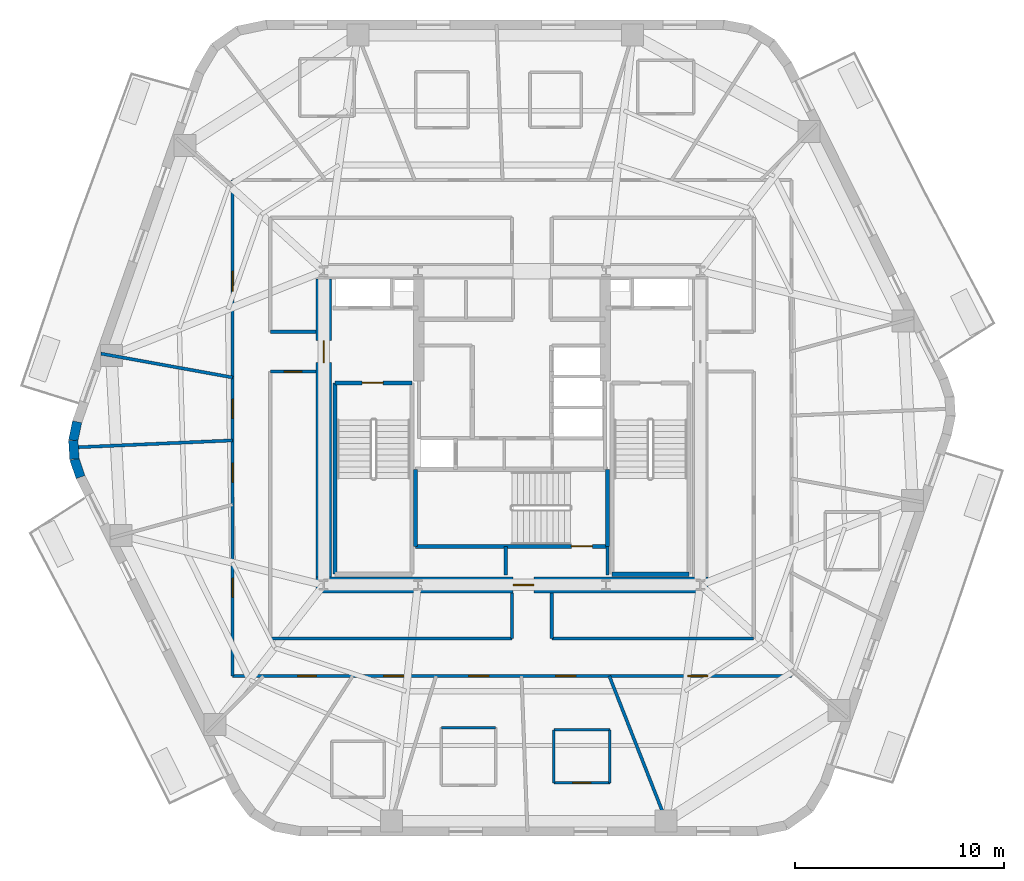
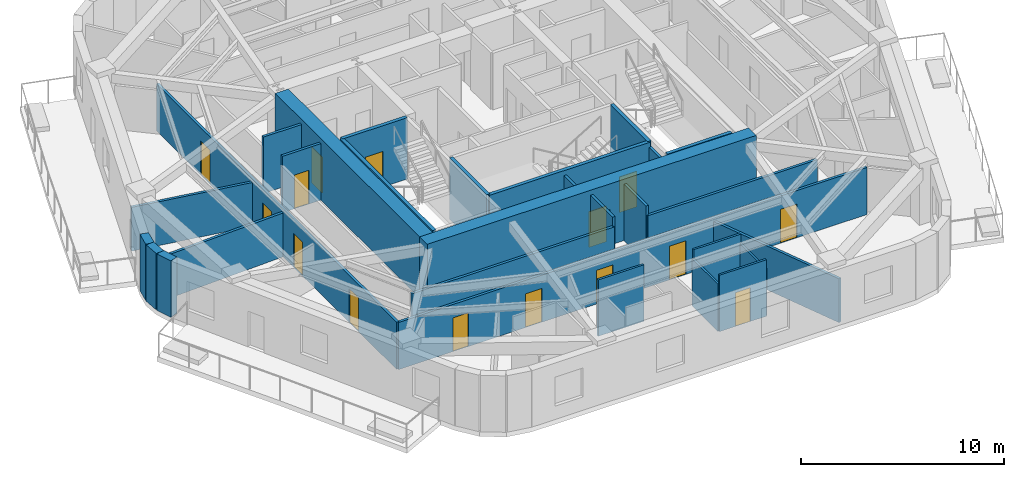
# One storey, part 3 of 10: 29 walls, 15 doors, 15 openings.
"""IFC4 building model written with IfcOpenShell, lengths in metres."""

from ifc_helpers import new_model, si_unit, direction, frame, frame_2d, origin, place, context, subcontext, project, spatial, rectangle, extrude, material, layer, layer_set, type_object, element, fill, save


model = new_model("IFC4")

# Units and contexts
model_context = context("Model", 3, precision=1e-05, world=origin(), true_north=direction((0.0, 1.0)))
body_context = subcontext(model_context, "Body", "Model", "MODEL_VIEW")
ifc_project = project(units=[si_unit("LENGTHUNIT", "METRE"), si_unit("AREAUNIT", "SQUARE_METRE"), si_unit("VOLUMEUNIT", "CUBIC_METRE"), si_unit("PLANEANGLEUNIT", "RADIAN"), si_unit("MASSUNIT", "GRAM", prefix="KILO")], contexts=[model_context])

# Site, building, storey
site_placement = place(None, origin())
site = spatial("IfcSite", under=ifc_project, at=site_placement, CompositionType="ELEMENT")
building_placement = place(site_placement, origin())
building = spatial("IfcBuilding", under=site, at=building_placement, Name="Kilnhurst Terrace Hotel", CompositionType="ELEMENT")
storey_placement = place(building_placement, frame((0.0, 0.0, 179.300048828125)))
storey = spatial("IfcBuildingStorey", under=building, at=storey_placement, Name="L44", CompositionType="ELEMENT", Elevation=179.300048828125)

# Walls
ifc_material_1 = material(Name="Precast concrete C40/50", Category="concrete")
ifc_layer_1 = layer(ifc_material_1, 0.449951171875, Name="Precast concrete C40/50")
ifc_layer_set_1 = layer_set([ifc_layer_1], Name="Precast concrete C40/50")
wall_type_1 = type_object("IfcWallType", Name="WL-BRK-450", PredefinedType="SOLIDWALL", material=ifc_layer_set_1)
wall_1_placement = place(storey_placement, frame((-20.78173828125, 0.298095703125, 0.0), z_axis=(0.0, 0.0, 1.0), x_axis=(-0.202570068411, -0.979267771033, 0.0)))
element("IfcWall", 1, at=wall_1_placement, inside=storey, type_object=wall_type_1, Name="L44 Rounded Corner Brick Wall C6.1", PredefinedType="SOLIDWALL", context=body_context, shape_type="SweptSolid", body=[
    extrude(rectangle(XDim=0.90869140625, YDim=0.449951171875, at=frame_2d((0.454345703125, 0.0))), origin(), (0.0, 0.0, 1.0), 3.39990234375),
])
wall_2_placement = place(storey_placement, frame((-20.9658203125, -0.591796875, 0.0), z_axis=(0.0, 0.0, 1.0), x_axis=(0.061748898935, -0.998091715966, 0.0)))
element("IfcWall", 2, at=wall_2_placement, inside=storey, type_object=wall_type_1, Name="L44 Rounded Corner Brick Wall C6.2", PredefinedType="SOLIDWALL", context=body_context, shape_type="SweptSolid", body=[
    extrude(rectangle(XDim=0.8935546875, YDim=0.449951171875, at=frame_2d((0.44677734375, 0.0))), origin(), (0.0, 0.0, 1.0), 3.39990234375),
])
wall_3_placement = place(storey_placement, frame((-20.91064453125, -1.483642578125, 0.0), z_axis=(0.0, 0.0, 1.0), x_axis=(0.321623334353, -0.946867694453, 0.0)))
element("IfcWall", 3, at=wall_3_placement, inside=storey, type_object=wall_type_1, Name="L44 Rounded Corner Brick Wall C6.3", PredefinedType="SOLIDWALL", context=body_context, shape_type="SweptSolid", body=[
    extrude(rectangle(XDim=0.90869140625, YDim=0.449951171875, at=frame_2d((0.454345703125, 0.0))), origin(), (0.0, 0.0, 1.0), 3.39990234375),
])

# Wall, openings, doors
ifc_material_2 = material(Name="Acoustic Double-Gypsum Corridor Partition Assembly")
ifc_layer_2 = layer(ifc_material_2, 0.14990234375, Name="Acoustic Double-Gypsum Corridor Partition Assembly")
ifc_layer_set_2 = layer_set([ifc_layer_2], Name="Acoustic Double-Gypsum Corridor Partition Assembly")
wall_type_2 = type_object("IfcWallType", Name="WL-COR-150", PredefinedType="PARTITIONING", material=ifc_layer_set_2)
wall_4_placement = place(storey_placement, frame((13.35009765625, -11.85009765625, 0.0), z_axis=(0.0, 0.0, 1.0), x_axis=(-1.0, 0.0, 0.0)))
wall_4 = element("IfcWall", 4, at=wall_4_placement, inside=storey, type_object=wall_type_2, Name="L44 Interior Wall WL-L44-COR-01", PredefinedType="PARTITIONING", context=body_context, shape_type="SweptSolid", body=[
    extrude(rectangle(XDim=26.7001953125, YDim=0.14990234375, at=frame_2d((13.35009765625, 0.0))), origin(), (0.0, 0.0, 1.0), 2.83984375),
])
opening_1_placement = place(wall_4_placement, frame((22.699951171875, 0.0, 0.0)))
opening_1 = element("IfcOpeningElement", 5, at=opening_1_placement, cuts=wall_4, Name="Opening D-60C", PredefinedType="OPENING", context=body_context, shape_type="SweptSolid", body=[
    extrude(rectangle(XDim=0.89990234375, YDim=2.030029296875, at=frame_2d((0.449951171875, 1.01513671875))), frame((0.0, 0.0849609375, 0.0), z_axis=(0.0, -1.0, 0.0), x_axis=(1.0, 0.0, 0.0)), (0.0, 0.0, 1.0), 0.169921875),
])
opening_2_placement = place(wall_4_placement, frame((18.52294921875, 0.0, 0.0)))
opening_2 = element("IfcOpeningElement", 6, at=opening_2_placement, cuts=wall_4, Name="Opening D-60B", PredefinedType="OPENING", context=body_context, shape_type="SweptSolid", body=[
    extrude(rectangle(XDim=0.949951171875, YDim=2.030029296875, at=frame_2d((0.47509765625, 1.01513671875))), frame((0.0, 0.0849609375, 0.0), z_axis=(0.0, -1.0, 0.0), x_axis=(1.0, 0.0, 0.0)), (0.0, 0.0, 1.0), 0.169921875),
])
opening_3_placement = place(wall_4_placement, frame((14.468994140625, 0.0, 0.0)))
opening_3 = element("IfcOpeningElement", 7, at=opening_3_placement, cuts=wall_4, Name="Opening D-60B", PredefinedType="OPENING", context=body_context, shape_type="SweptSolid", body=[
    extrude(rectangle(XDim=0.949951171875, YDim=2.030029296875, at=frame_2d((0.47509765625, 1.01513671875))), frame((0.0, 0.0849609375, 0.0), z_axis=(0.0, -1.0, 0.0), x_axis=(1.0, 0.0, 0.0)), (0.0, 0.0, 1.0), 0.169921875),
])
opening_4_placement = place(wall_4_placement, frame((10.31396484375, 0.0, 0.0)))
opening_4 = element("IfcOpeningElement", 8, at=opening_4_placement, cuts=wall_4, Name="Opening D-60B", PredefinedType="OPENING", context=body_context, shape_type="SweptSolid", body=[
    extrude(rectangle(XDim=0.949951171875, YDim=2.030029296875, at=frame_2d((0.47509765625, 1.01513671875))), frame((0.0, 0.0849609375, 0.0), z_axis=(0.0, -1.0, 0.0), x_axis=(1.0, 0.0, 0.0)), (0.0, 0.0, 1.0), 0.169921875),
])
opening_5_placement = place(wall_4_placement, frame((3.9951171875, 0.0, 0.0)))
opening_5 = element("IfcOpeningElement", 9, at=opening_5_placement, cuts=wall_4, Name="Opening D-60B", PredefinedType="OPENING", context=body_context, shape_type="SweptSolid", body=[
    extrude(rectangle(XDim=0.949951171875, YDim=2.030029296875, at=frame_2d((0.47509765625, 1.01513671875))), frame((0.0, 0.0849609375, 0.0), z_axis=(0.0, -1.0, 0.0), x_axis=(1.0, 0.0, 0.0)), (0.0, 0.0, 1.0), 0.169921875),
])
ifc_material_3 = material(Name="Painted Solid-Core Service Fire Door")
door_type_1 = type_object("IfcDoorType", Name="DR-FD60-900", OperationType="NOTDEFINED", PredefinedType="DOOR", material=ifc_material_3)
door_1_placement = place(opening_1_placement, origin())
door_1 = element("IfcDoor", 10, at=door_1_placement, inside=storey, type_object=door_type_1, Name="L44 Executive Work Office Door 13", OperationType="SINGLE_SWING_LEFT", OverallHeight=2.030029296875, OverallWidth=0.89990234375, PredefinedType="DOOR", context=body_context, shape_type="SweptSolid", body=[
    extrude(rectangle(XDim=0.89990234375, YDim=2.030029296875, at=frame_2d((0.449951171875, 1.01513671875))), frame((0.0, 0.02490234375, 0.0), z_axis=(0.0, -1.0, 0.0), x_axis=(1.0, 0.0, 0.0)), (0.0, 0.0, 1.0), 0.050048828125),
])
fill(opening_1, door_1)
ifc_material_4 = material(Name="Acoustic Walnut Veneer Solid-Core Fire Door")
door_type_2 = type_object("IfcDoorType", Name="DR-FD60-950", OperationType="NOTDEFINED", PredefinedType="DOOR", material=ifc_material_4)
door_2_placement = place(opening_2_placement, origin())
door_2 = element("IfcDoor", 11, at=door_2_placement, inside=storey, type_object=door_type_2, Name="L44 Guest Room Entry Door 14", OperationType="SINGLE_SWING_RIGHT", OverallHeight=2.030029296875, OverallWidth=0.949951171875, PredefinedType="DOOR", context=body_context, shape_type="SweptSolid", body=[
    extrude(rectangle(XDim=0.949951171875, YDim=2.030029296875, at=frame_2d((0.47509765625, 1.01513671875))), frame((0.0, 0.02490234375, 0.0), z_axis=(0.0, -1.0, 0.0), x_axis=(1.0, 0.0, 0.0)), (0.0, 0.0, 1.0), 0.050048828125),
])
fill(opening_2, door_2)
door_3_placement = place(opening_3_placement, origin())
door_3 = element("IfcDoor", 12, at=door_3_placement, inside=storey, type_object=door_type_2, Name="L44 Guest Room Entry Door 15", OperationType="SINGLE_SWING_LEFT", OverallHeight=2.030029296875, OverallWidth=0.949951171875, PredefinedType="DOOR", context=body_context, shape_type="SweptSolid", body=[
    extrude(rectangle(XDim=0.949951171875, YDim=2.030029296875, at=frame_2d((0.47509765625, 1.01513671875))), frame((0.0, 0.02490234375, 0.0), z_axis=(0.0, -1.0, 0.0), x_axis=(1.0, 0.0, 0.0)), (0.0, 0.0, 1.0), 0.050048828125),
])
fill(opening_3, door_3)
door_4_placement = place(opening_4_placement, origin())
door_4 = element("IfcDoor", 13, at=door_4_placement, inside=storey, type_object=door_type_2, Name="L44 Guest Room Entry Door 16", OperationType="SINGLE_SWING_RIGHT", OverallHeight=2.030029296875, OverallWidth=0.949951171875, PredefinedType="DOOR", context=body_context, shape_type="SweptSolid", body=[
    extrude(rectangle(XDim=0.949951171875, YDim=2.030029296875, at=frame_2d((0.47509765625, 1.01513671875))), frame((0.0, 0.02490234375, 0.0), z_axis=(0.0, -1.0, 0.0), x_axis=(1.0, 0.0, 0.0)), (0.0, 0.0, 1.0), 0.050048828125),
])
fill(opening_4, door_4)
door_5_placement = place(opening_5_placement, origin())
door_5 = element("IfcDoor", 14, at=door_5_placement, inside=storey, type_object=door_type_2, Name="L44 Wellness Spa Room Door", OperationType="SINGLE_SWING_LEFT", OverallHeight=2.030029296875, OverallWidth=0.949951171875, PredefinedType="DOOR", context=body_context, shape_type="SweptSolid", body=[
    extrude(rectangle(XDim=0.949951171875, YDim=2.030029296875, at=frame_2d((0.47509765625, 1.01513671875))), frame((0.0, 0.02490234375, 0.0), z_axis=(0.0, -1.0, 0.0), x_axis=(1.0, 0.0, 0.0)), (0.0, 0.0, 1.0), 0.050048828125),
])
fill(opening_5, door_5)

wall_5_placement = place(storey_placement, frame((-13.35009765625, -11.85009765625, 0.0), z_axis=(0.0, 0.0, 1.0), x_axis=(0.0, 1.0, 0.0)))
wall_5 = element("IfcWall", 15, at=wall_5_placement, inside=storey, type_object=wall_type_2, Name="L44 Interior Wall WL-L44-COR-02", PredefinedType="PARTITIONING", context=body_context, shape_type="SweptSolid", body=[
    extrude(rectangle(XDim=23.7001953125, YDim=0.14990234375, at=frame_2d((11.85009765625, 0.0))), origin(), (0.0, 0.0, 1.0), 2.83984375),
])
opening_6_placement = place(wall_5_placement, frame((18.388916015625, 0.0, 0.0)))
opening_6 = element("IfcOpeningElement", 16, at=opening_6_placement, cuts=wall_5, Name="Opening D-60B", PredefinedType="OPENING", context=body_context, shape_type="SweptSolid", body=[
    extrude(rectangle(XDim=0.949951171875, YDim=2.030029296875, at=frame_2d((0.47509765625, 1.01513671875))), frame((0.0, 0.0849609375, 0.0), z_axis=(0.0, -1.0, 0.0), x_axis=(1.0, 0.0, 0.0)), (0.0, 0.0, 1.0), 0.169921875),
])
opening_7_placement = place(wall_5_placement, frame((12.31494140625, 0.0, 0.0)))
opening_7 = element("IfcOpeningElement", 17, at=opening_7_placement, cuts=wall_5, Name="Opening D-60C", PredefinedType="OPENING", context=body_context, shape_type="SweptSolid", body=[
    extrude(rectangle(XDim=0.89990234375, YDim=2.030029296875, at=frame_2d((0.449951171875, 1.01513671875))), frame((0.0, 0.0849609375, 0.0), z_axis=(0.0, -1.0, 0.0), x_axis=(1.0, 0.0, 0.0)), (0.0, 0.0, 1.0), 0.169921875),
])
opening_8_placement = place(wall_5_placement, frame((9.27001953125, 0.0, 0.0)))
opening_8 = element("IfcOpeningElement", 18, at=opening_8_placement, cuts=wall_5, Name="Opening D-60C", PredefinedType="OPENING", context=body_context, shape_type="SweptSolid", body=[
    extrude(rectangle(XDim=0.89990234375, YDim=2.030029296875, at=frame_2d((0.449951171875, 1.01513671875))), frame((0.0, 0.0849609375, 0.0), z_axis=(0.0, -1.0, 0.0), x_axis=(1.0, 0.0, 0.0)), (0.0, 0.0, 1.0), 0.169921875),
])
opening_9_placement = place(wall_5_placement, frame((3.764892578125, 0.0, 0.0)))
opening_9 = element("IfcOpeningElement", 19, at=opening_9_placement, cuts=wall_5, Name="Opening D-60C", PredefinedType="OPENING", context=body_context, shape_type="SweptSolid", body=[
    extrude(rectangle(XDim=0.89990234375, YDim=2.030029296875, at=frame_2d((0.449951171875, 1.01513671875))), frame((0.0, 0.0849609375, 0.0), z_axis=(0.0, -1.0, 0.0), x_axis=(1.0, 0.0, 0.0)), (0.0, 0.0, 1.0), 0.169921875),
])
door_6_placement = place(opening_7_placement, origin())
door_6 = element("IfcDoor", 20, at=door_6_placement, inside=storey, type_object=door_type_1, Name="L44 Wellness Consultation Room Door 10", OperationType="SINGLE_SWING_RIGHT", OverallHeight=2.030029296875, OverallWidth=0.89990234375, PredefinedType="DOOR", context=body_context, shape_type="SweptSolid", body=[
    extrude(rectangle(XDim=0.89990234375, YDim=2.030029296875, at=frame_2d((0.449951171875, 1.01513671875))), frame((0.0, 0.02490234375, 0.0), z_axis=(0.0, -1.0, 0.0), x_axis=(1.0, 0.0, 0.0)), (0.0, 0.0, 1.0), 0.050048828125),
])
fill(opening_7, door_6)
door_7_placement = place(opening_8_placement, origin())
door_7 = element("IfcDoor", 21, at=door_7_placement, inside=storey, type_object=door_type_1, Name="L44 Private Tasting Dining Room Door 11", OperationType="SINGLE_SWING_LEFT", OverallHeight=2.030029296875, OverallWidth=0.89990234375, PredefinedType="DOOR", context=body_context, shape_type="SweptSolid", body=[
    extrude(rectangle(XDim=0.89990234375, YDim=2.030029296875, at=frame_2d((0.449951171875, 1.01513671875))), frame((0.0, 0.02490234375, 0.0), z_axis=(0.0, -1.0, 0.0), x_axis=(1.0, 0.0, 0.0)), (0.0, 0.0, 1.0), 0.050048828125),
])
fill(opening_8, door_7)
door_8_placement = place(opening_9_placement, origin())
door_8 = element("IfcDoor", 22, at=door_8_placement, inside=storey, type_object=door_type_1, Name="L44 Private Study Salon Door 12", OperationType="SINGLE_SWING_RIGHT", OverallHeight=2.030029296875, OverallWidth=0.89990234375, PredefinedType="DOOR", context=body_context, shape_type="SweptSolid", body=[
    extrude(rectangle(XDim=0.89990234375, YDim=2.030029296875, at=frame_2d((0.449951171875, 1.01513671875))), frame((0.0, 0.02490234375, 0.0), z_axis=(0.0, -1.0, 0.0), x_axis=(1.0, 0.0, 0.0)), (0.0, 0.0, 1.0), 0.050048828125),
])
fill(opening_9, door_8)
door_9_placement = place(opening_6_placement, origin())
door_9 = element("IfcDoor", 23, at=door_9_placement, inside=storey, type_object=door_type_2, Name="L44 Club Reading Lounge Door", OperationType="SINGLE_SWING_LEFT", OverallHeight=2.030029296875, OverallWidth=0.949951171875, PredefinedType="DOOR", context=body_context, shape_type="SweptSolid", body=[
    extrude(rectangle(XDim=0.949951171875, YDim=2.030029296875, at=frame_2d((0.47509765625, 1.01513671875))), frame((0.0, 0.02490234375, 0.0), z_axis=(0.0, -1.0, 0.0), x_axis=(1.0, 0.0, 0.0)), (0.0, 0.0, 1.0), 0.050048828125),
])
fill(opening_6, door_9)

# Wall
wall_6_placement = place(storey_placement, frame((-11.550048828125, 4.60009765625, 0.0), z_axis=(0.0, 0.0, 1.0), x_axis=(1.0, 0.0, 0.0)))
element("IfcWall", 24, at=wall_6_placement, inside=storey, type_object=wall_type_2, Name="L44 Interior Wall WL-L44-COR-14", PredefinedType="PARTITIONING", context=body_context, shape_type="SweptSolid", body=[
    extrude(rectangle(XDim=2.175048828125, YDim=0.14990234375, at=frame_2d((1.08740234375, 0.0))), origin(), (0.0, 0.0, 1.0), 3.39990234375),
])

# Wall, opening, door
wall_7_placement = place(storey_placement, frame((-9.375, 2.699951171875, 0.0), z_axis=(0.0, 0.0, 1.0), x_axis=(-1.0, 0.0, 0.0)))
wall_7 = element("IfcWall", 25, at=wall_7_placement, inside=storey, type_object=wall_type_2, Name="L44 Interior Wall WL-L44-COR-15", PredefinedType="PARTITIONING", context=body_context, shape_type="SweptSolid", body=[
    extrude(rectangle(XDim=2.175048828125, YDim=0.14990234375, at=frame_2d((1.08740234375, 0.0))), origin(), (0.0, 0.0, 1.0), 3.39990234375),
])
opening_10_placement = place(wall_7_placement, frame((0.6630859375, 0.0, 0.0)))
opening_10 = element("IfcOpeningElement", 26, at=opening_10_placement, cuts=wall_7, Name="Opening D-60D", PredefinedType="OPENING", context=body_context, shape_type="SweptSolid", body=[
    extrude(rectangle(XDim=0.85009765625, YDim=2.030029296875, at=frame_2d((0.425048828125, 1.01513671875))), frame((0.0, 0.0849609375, 0.0), z_axis=(0.0, -1.0, 0.0), x_axis=(1.0, 0.0, 0.0)), (0.0, 0.0, 1.0), 0.169921875),
])
ifc_material_5 = material(Name="Painted Hollow Metal Steel ASTM A36 Riser Door", Category="steel")
door_type_3 = type_object("IfcDoorType", Name="DR-FD60-850", OperationType="NOTDEFINED", PredefinedType="DOOR", material=ifc_material_5)
door_10_placement = place(opening_10_placement, origin())
door_10 = element("IfcDoor", 27, at=door_10_placement, inside=storey, type_object=door_type_3, Name="L44 Floor Linen Storage Room Door", OperationType="SINGLE_SWING_LEFT", OverallHeight=2.030029296875, OverallWidth=0.85009765625, PredefinedType="DOOR", context=body_context, shape_type="SweptSolid", body=[
    extrude(rectangle(XDim=0.85009765625, YDim=2.030029296875, at=frame_2d((0.425048828125, 1.01513671875))), frame((0.0, 0.02490234375, 0.0), z_axis=(0.0, -1.0, 0.0), x_axis=(1.0, 0.0, 0.0)), (0.0, 0.0, 1.0), 0.050048828125),
])
fill(opening_10, door_10)

# Walls
wall_8_placement = place(storey_placement, frame((-11.550048828125, -10.050048828125, 0.0), z_axis=(0.0, 0.0, 1.0), x_axis=(1.0, 0.0, 0.0)))
element("IfcWall", 28, at=wall_8_placement, inside=storey, type_object=wall_type_2, Name="L44 Interior Wall WL-L44-COR-17", PredefinedType="PARTITIONING", context=body_context, shape_type="SweptSolid", body=[
    extrude(rectangle(XDim=11.550048828125, YDim=0.14990234375, at=frame_2d((5.77490234375, 0.0))), origin(), (0.0, 0.0, 1.0), 2.83984375),
])
for number, where, z_axis, x_axis, name in (
    (29, (0.0, -10.050048828125, 0.0), (0.0, 0.0, 1.0), (0.0, 1.0, 0.0), "L44 Interior Wall WL-L44-COR-18"),
    (30, (1.89990234375, -7.875, 0.0), (0.0, 0.0, 1.0), (0.0, -1.0, 0.0), "L44 Interior Wall WL-L44-COR-19"),
):
    element("IfcWall", number, at=place(storey_placement, frame(where, z_axis=z_axis, x_axis=x_axis)), inside=storey, type_object=wall_type_2, Name=name, PredefinedType="PARTITIONING", context=body_context, shape_type="SweptSolid", body=[
        extrude(rectangle(XDim=2.175048828125, YDim=0.14990234375, at=frame_2d((1.08740234375, 0.0))), origin(), (0.0, 0.0, 1.0), 3.39990234375),
    ])
wall_9_placement = place(storey_placement, frame((1.89990234375, -10.050048828125, 0.0), z_axis=(0.0, 0.0, 1.0), x_axis=(1.0, 0.0, 0.0)))
element("IfcWall", 31, at=wall_9_placement, inside=storey, type_object=wall_type_2, Name="L44 Interior Wall WL-L44-COR-20", PredefinedType="PARTITIONING", context=body_context, shape_type="SweptSolid", body=[
    extrude(rectangle(XDim=9.650146484375, YDim=0.14990234375, at=frame_2d((4.8251953125, 0.0))), origin(), (0.0, 0.0, 1.0), 2.83984375),
])

# Wall, opening, door
ifc_material_6 = material(Name="Concrete C60/75", Category="concrete")
ifc_layer_3 = layer(ifc_material_6, 0.75, Name="Concrete C60/75")
ifc_layer_set_3 = layer_set([ifc_layer_3], Name="Concrete C60/75")
wall_type_3 = type_object("IfcWallType", Name="WL-CORE-750", PredefinedType="SHEAR", material=ifc_layer_set_3)
wall_10_placement = place(storey_placement, frame((-9.375, -7.5, 0.0), z_axis=(0.0, 0.0, 1.0), x_axis=(1.0, 0.0, 0.0)))
wall_10 = element("IfcWall", 32, at=wall_10_placement, inside=storey, type_object=wall_type_3, Name="L44 Core South Shear Wall", PredefinedType="SHEAR", context=body_context, shape_type="SweptSolid", body=[
    extrude(rectangle(XDim=18.75, YDim=0.75, at=frame_2d((9.375, 0.0))), origin(), (0.0, 0.0, 1.0), 3.699951171875),
])
opening_11_placement = place(wall_10_placement, frame((9.425048828125, 0.0, 0.0)))
opening_11 = element("IfcOpeningElement", 33, at=opening_11_placement, cuts=wall_10, Name="Opening D-90B", PredefinedType="OPENING", context=body_context, shape_type="SweptSolid", body=[
    extrude(rectangle(XDim=1.0, YDim=2.14990234375, at=frame_2d((0.5, 1.074951171875))), frame((0.0, 0.385009765625, 0.0), z_axis=(0.0, -1.0, 0.0), x_axis=(1.0, 0.0, 0.0)), (0.0, 0.0, 1.0), 0.77001953125),
])
ifc_material_7 = material(Name="Painted Hollow Metal Steel ASTM A36 Fire Door", Category="steel")
door_type_4 = type_object("IfcDoorType", Name="DR-FD90-1000", OperationType="NOTDEFINED", PredefinedType="DOOR", material=ifc_material_7)
door_11_placement = place(opening_11_placement, origin())
door_11 = element("IfcDoor", 34, at=door_11_placement, inside=storey, type_object=door_type_4, Name="L44 Stair ST-3 Corridor Door", OperationType="SINGLE_SWING_RIGHT", OverallHeight=2.14990234375, OverallWidth=1.0, PredefinedType="DOOR", context=body_context, shape_type="SweptSolid", body=[
    extrude(rectangle(XDim=1.0, YDim=2.14990234375, at=frame_2d((0.5, 1.074951171875))), frame((0.0, 0.02490234375, 0.0), z_axis=(0.0, -1.0, 0.0), x_axis=(1.0, 0.0, 0.0)), (0.0, 0.0, 1.0), 0.050048828125),
])
fill(opening_11, door_11)

wall_11_placement = place(storey_placement, frame((-9.0, -7.125, 0.0), z_axis=(0.0, 0.0, 1.0), x_axis=(0.0, 1.0, 0.0)))
wall_11 = element("IfcWall", 35, at=wall_11_placement, inside=storey, type_object=wall_type_3, Name="L44 Core West Shear Wall", PredefinedType="SHEAR", context=body_context, shape_type="SweptSolid", body=[
    extrude(rectangle(XDim=14.25, YDim=0.75, at=frame_2d((7.125, 0.0))), origin(), (0.0, 0.0, 1.0), 3.699951171875),
])
opening_12_placement = place(wall_11_placement, frame((10.25, 0.0, 0.0)))
opening_12 = element("IfcOpeningElement", 36, at=opening_12_placement, cuts=wall_11, Name="Opening D-90A", PredefinedType="OPENING", context=body_context, shape_type="SweptSolid", body=[
    extrude(rectangle(XDim=1.050048828125, YDim=2.14990234375, at=frame_2d((0.52490234375, 1.074951171875))), frame((0.0, 0.385009765625, 0.0), z_axis=(0.0, -1.0, 0.0), x_axis=(1.0, 0.0, 0.0)), (0.0, 0.0, 1.0), 0.77001953125),
])
door_type_5 = type_object("IfcDoorType", Name="DR-FD90-1050", OperationType="NOTDEFINED", PredefinedType="DOOR", material=ifc_material_7)
door_12_placement = place(opening_12_placement, origin())
door_12 = element("IfcDoor", 37, at=door_12_placement, inside=storey, type_object=door_type_5, Name="L44 West Firefighting Lobby Door", OperationType="SINGLE_SWING_RIGHT", OverallHeight=2.14990234375, OverallWidth=1.050048828125, PredefinedType="DOOR", context=body_context, shape_type="SweptSolid", body=[
    extrude(rectangle(XDim=1.050048828125, YDim=2.14990234375, at=frame_2d((0.52490234375, 1.074951171875))), frame((0.0, 0.02490234375, 0.0), z_axis=(0.0, -1.0, 0.0), x_axis=(1.0, 0.0, 0.0)), (0.0, 0.0, 1.0), 0.050048828125),
])
fill(opening_12, door_12)

# Walls
ifc_material_8 = material(Name="STC-58 Acoustic Twin-Frame Guestroom Demising Partition")
ifc_layer_4 = layer(ifc_material_8, 0.14990234375, Name="STC-58 Acoustic Twin-Frame Guestroom Demising Partition")
ifc_layer_set_4 = layer_set([ifc_layer_4], Name="STC-58 Acoustic Twin-Frame Guestroom Demising Partition")
wall_type_4 = type_object("IfcWallType", Name="WL-DEM-150", PredefinedType="PARTITIONING", material=ifc_layer_set_4)
wall_12_placement = place(storey_placement, frame((-13.35009765625, 2.417236328125, 0.0), z_axis=(0.0, 0.0, 1.0), x_axis=(-0.98399796473, 0.178179699761, 0.0)))
element("IfcWall", 38, at=wall_12_placement, inside=storey, type_object=wall_type_4, Name="L44 Interior Wall WL-L44-DEM-COL06-10-1", PredefinedType="PARTITIONING", context=body_context, shape_type="SweptSolid", body=[
    extrude(rectangle(XDim=6.393310546875, YDim=0.14990234375, at=frame_2d((3.19677734375, 0.0))), origin(), (0.0, 0.0, 1.0), 2.639892578125),
])
wall_13_placement = place(storey_placement, frame((-13.35009765625, -0.591064453125, 0.0), z_axis=(0.0, 0.0, 1.0), x_axis=(-0.999020359631, -0.044252921296, 0.0)))
element("IfcWall", 39, at=wall_13_placement, inside=storey, type_object=wall_type_4, Name="L44 Interior Wall WL-L44-DEM-MID06-11-1", PredefinedType="PARTITIONING", context=body_context, shape_type="SweptSolid", body=[
    extrude(rectangle(XDim=7.4423828125, YDim=0.14990234375, at=frame_2d((3.72119140625, 0.0))), origin(), (0.0, 0.0, 1.0), 2.639892578125),
])
wall_14_placement = place(storey_placement, frame((4.64990234375, -11.85009765625, 0.0), z_axis=(0.0, 0.0, 1.0), x_axis=(0.365265947993, -0.930903210456, 0.0)))
element("IfcWall", 40, at=wall_14_placement, inside=storey, type_object=wall_type_4, Name="L44 Interior Wall WL-L44-DEM-COL10-17-1", PredefinedType="PARTITIONING", context=body_context, shape_type="SweptSolid", body=[
    extrude(rectangle(XDim=7.975830078125, YDim=0.14990234375, at=frame_2d((3.98779296875, 0.0))), origin(), (0.0, 0.0, 1.0), 2.639892578125),
])
ifc_material_9 = material(Name="120 mm Moisture-Resistant Tile-Backed Bathroom Partition")
ifc_layer_5 = layer(ifc_material_9, 0.1201171875, Name="120 mm Moisture-Resistant Tile-Backed Bathroom Partition")
ifc_layer_set_5 = layer_set([ifc_layer_5], Name="120 mm Moisture-Resistant Tile-Backed Bathroom Partition")
wall_type_5 = type_object("IfcWallType", Name="WL-PART-120", PredefinedType="PARTITIONING", material=ifc_layer_set_5)
wall_15_placement = place(storey_placement, frame((-0.780029296875, -14.31298828125, 0.0), z_axis=(0.0, 0.0, 1.0), x_axis=(-1.0, 0.0, 0.0)))
element("IfcWall", 41, at=wall_15_placement, inside=storey, type_object=wall_type_5, Name="L44 Interior Wall WL-L44-BTH-15-3", PredefinedType="PARTITIONING", context=body_context, shape_type="SweptSolid", body=[
    extrude(rectangle(XDim=2.599853515625, YDim=0.1201171875, at=frame_2d((1.2998046875, 0.0))), origin(), (0.0, 0.0, 1.0), 3.39990234375),
])

# Wall, opening, door
wall_16_placement = place(storey_placement, frame((2.0, -16.9580078125, 0.0), z_axis=(0.0, 0.0, 1.0), x_axis=(1.0, 0.0, 0.0)))
wall_16 = element("IfcWall", 42, at=wall_16_placement, inside=storey, type_object=wall_type_5, Name="L44 Interior Wall WL-L44-BTH-16-1", PredefinedType="PARTITIONING", context=body_context, shape_type="SweptSolid", body=[
    extrude(rectangle(XDim=2.679931640625, YDim=0.1201171875, at=frame_2d((1.33984375, 0.0))), origin(), (0.0, 0.0, 1.0), 3.39990234375),
])
opening_13_placement = place(wall_16_placement, frame((0.9150390625, 0.0, 0.0)))
opening_13 = element("IfcOpeningElement", 43, at=opening_13_placement, cuts=wall_16, Name="Opening D-08A", PredefinedType="OPENING", context=body_context, shape_type="SweptSolid", body=[
    extrude(rectangle(XDim=0.85009765625, YDim=2.030029296875, at=frame_2d((0.425048828125, 1.01513671875))), frame((0.0, 0.070068359375, 0.0), z_axis=(0.0, -1.0, 0.0), x_axis=(1.0, 0.0, 0.0)), (0.0, 0.0, 1.0), 0.14013671875),
])
ifc_material_10 = material(Name="Moisture-Resistant Lacquered En-suite Bathroom Door")
door_type_6 = type_object("IfcDoorType", Name="DR-INT-850", OperationType="NOTDEFINED", PredefinedType="DOOR", material=ifc_material_10)
door_13_placement = place(opening_13_placement, origin())
door_13 = element("IfcDoor", 44, at=door_13_placement, inside=storey, type_object=door_type_6, Name="L44 En-suite Bathroom Door 16", OperationType="SINGLE_SWING_LEFT", OverallHeight=2.030029296875, OverallWidth=0.85009765625, PredefinedType="DOOR", context=body_context, shape_type="SweptSolid", body=[
    extrude(rectangle(XDim=0.85009765625, YDim=2.030029296875, at=frame_2d((0.425048828125, 1.01513671875))), frame((0.0, 0.02490234375, 0.0), z_axis=(0.0, -1.0, 0.0), x_axis=(1.0, 0.0, 0.0)), (0.0, 0.0, 1.0), 0.050048828125),
])
fill(opening_13, door_13)

# Walls
wall_17_placement = place(storey_placement, frame((4.679931640625, -16.9580078125, 0.0), z_axis=(0.0, 0.0, 1.0), x_axis=(0.0, 1.0, 0.0)))
element("IfcWall", 45, at=wall_17_placement, inside=storey, type_object=wall_type_5, Name="L44 Interior Wall WL-L44-BTH-16-2", PredefinedType="PARTITIONING", context=body_context, shape_type="SweptSolid", body=[
    extrude(rectangle(XDim=2.5400390625, YDim=0.1201171875, at=frame_2d((1.27001953125, 0.0))), origin(), (0.0, 0.0, 1.0), 2.84033203125),
])
wall_18_placement = place(storey_placement, frame((4.679931640625, -14.41796875, 0.0), z_axis=(0.0, 0.0, 1.0), x_axis=(-1.0, 0.0, 0.0)))
element("IfcWall", 46, at=wall_18_placement, inside=storey, type_object=wall_type_5, Name="L44 Interior Wall WL-L44-BTH-16-3", PredefinedType="PARTITIONING", context=body_context, shape_type="SweptSolid", body=[
    extrude(rectangle(XDim=2.679931640625, YDim=0.1201171875, at=frame_2d((1.33984375, 0.0))), origin(), (0.0, 0.0, 1.0), 3.39990234375),
])
wall_19_placement = place(storey_placement, frame((2.0, -14.41796875, 0.0), z_axis=(0.0, 0.0, 1.0), x_axis=(0.0, -1.0, 0.0)))
element("IfcWall", 47, at=wall_19_placement, inside=storey, type_object=wall_type_5, Name="L44 Interior Wall WL-L44-BTH-16-4", PredefinedType="PARTITIONING", context=body_context, shape_type="SweptSolid", body=[
    extrude(rectangle(XDim=2.5400390625, YDim=0.1201171875, at=frame_2d((1.27001953125, 0.0))), origin(), (0.0, 0.0, 1.0), 2.84033203125),
])
ifc_material_11 = material(Name="Fire-Rated Gypsum Shaftliner Assembly")
ifc_layer_6 = layer(ifc_material_11, 0.14990234375, Name="Fire-Rated Gypsum Shaftliner Assembly")
ifc_layer_set_6 = layer_set([ifc_layer_6], Name="Fire-Rated Gypsum Shaftliner Assembly")
wall_type_6 = type_object("IfcWallType", Name="WL-SHAFT-150", PredefinedType="PARTITIONING", material=ifc_layer_set_6)
for number, where, z_axis, x_axis, name in (
    (48, (-0.300048828125, -7.02001953125, 0.0), (0.0, 0.0, 1.0), (0.0, 1.0, 0.0), "L44 Interior Wall WL-L44-ST3-PSGW"),
    (49, (4.55810546875, -7.02001953125, 0.0), (0.0, 0.0, 1.0), (0.0, 1.0, 0.0), "L44 Interior Wall WL-L44-ST3-PSGE"),
):
    element("IfcWall", number, at=place(storey_placement, frame(where, z_axis=z_axis, x_axis=x_axis)), inside=storey, type_object=wall_type_6, Name=name, PredefinedType="PARTITIONING", context=body_context, shape_type="SweptSolid", body=[
        extrude(rectangle(XDim=1.362060546875, YDim=0.14990234375, at=frame_2d((0.68115234375, 0.0))), origin(), (0.0, 0.0, 1.0), 3.39990234375),
    ])
ifc_material_12 = material(Name="Concrete C50/60", Category="concrete")
ifc_layer_7 = layer(ifc_material_12, 0.199951171875, Name="Concrete C50/60")
ifc_layer_set_7 = layer_set([ifc_layer_7], Name="Concrete C50/60")
wall_type_7 = type_object("IfcWallType", Name="WL-STAIR-RC-200", PredefinedType="SHEAR", material=ifc_layer_set_7)
wall_20_placement = place(storey_placement, frame((-8.4580078125, -6.985107421875, 0.0), z_axis=(0.0, 0.0, 1.0), x_axis=(0.0, 1.0, 0.0)))
element("IfcWall", 50, at=wall_20_placement, inside=storey, type_object=wall_type_7, Name="L44 Structural Stair Shaft Wall WL-L44-ST1-W", PredefinedType="SHEAR", context=body_context, shape_type="SweptSolid", body=[
    extrude(rectangle(XDim=9.14306640625, YDim=0.199951171875, at=frame_2d((4.571533203125, 0.0))), origin(), (0.0, 0.0, 1.0), 3.699951171875),
])

# Wall, opening, door
wall_21_placement = place(storey_placement, frame((-8.4580078125, 2.157958984375, 0.0), z_axis=(0.0, 0.0, 1.0), x_axis=(1.0, 0.0, 0.0)))
wall_21 = element("IfcWall", 51, at=wall_21_placement, inside=storey, type_object=wall_type_7, Name="L44 Structural Stair Shaft Wall WL-L44-ST1-N", PredefinedType="SHEAR", context=body_context, shape_type="SweptSolid", body=[
    extrude(rectangle(XDim=3.68603515625, YDim=0.199951171875, at=frame_2d((1.843017578125, 0.0))), origin(), (0.0, 0.0, 1.0), 3.699951171875),
])
opening_14_placement = place(wall_21_placement, frame((1.300048828125, 0.0, 0.0)))
opening_14 = element("IfcOpeningElement", 52, at=opening_14_placement, cuts=wall_21, Name="Opening D-90B", PredefinedType="OPENING", context=body_context, shape_type="SweptSolid", body=[
    extrude(rectangle(XDim=1.0, YDim=2.14990234375, at=frame_2d((0.5, 1.074951171875))), frame((0.0, 0.10986328125, 0.0), z_axis=(0.0, -1.0, 0.0), x_axis=(1.0, 0.0, 0.0)), (0.0, 0.0, 1.0), 0.219970703125),
])
door_14_placement = place(opening_14_placement, origin())
door_14 = element("IfcDoor", 53, at=door_14_placement, inside=storey, type_object=door_type_4, Name="L44 Stair ST-1 Door", OperationType="SINGLE_SWING_LEFT", OverallHeight=2.14990234375, OverallWidth=1.0, PredefinedType="DOOR", context=body_context, shape_type="SweptSolid", body=[
    extrude(rectangle(XDim=1.0, YDim=2.14990234375, at=frame_2d((0.5, 1.074951171875))), frame((0.0, 0.02490234375, 0.0), z_axis=(0.0, -1.0, 0.0), x_axis=(1.0, 0.0, 0.0)), (0.0, 0.0, 1.0), 0.050048828125),
])
fill(opening_14, door_14)

# Walls
for number, where, z_axis, x_axis, name in (
    (54, (4.77197265625, -6.985107421875, 0.0), (0.0, 0.0, 1.0), (1.0, 0.0, 0.0), "L44 Structural Stair Shaft Wall WL-L44-ST2-S"),
    (55, (-4.60791015625, -5.657958984375, 0.0), (0.0, 0.0, 1.0), (0.0, 1.0, 0.0), "L44 Structural Stair Shaft Wall WL-L44-ST3-W"),
):
    element("IfcWall", number, at=place(storey_placement, frame(where, z_axis=z_axis, x_axis=x_axis)), inside=storey, type_object=wall_type_7, Name=name, PredefinedType="SHEAR", context=body_context, shape_type="SweptSolid", body=[
        extrude(rectangle(XDim=3.68603515625, YDim=0.199951171875, at=frame_2d((1.843017578125, 0.0))), origin(), (0.0, 0.0, 1.0), 3.699951171875),
    ])

# Wall, opening, door
wall_22_placement = place(storey_placement, frame((-4.60791015625, -5.657958984375, 0.0), z_axis=(0.0, 0.0, 1.0), x_axis=(1.0, 0.0, 0.0)))
wall_22 = element("IfcWall", 56, at=wall_22_placement, inside=storey, type_object=wall_type_7, Name="L44 Structural Stair Shaft Wall WL-L44-ST3-S", PredefinedType="SHEAR", context=body_context, shape_type="SweptSolid", body=[
    extrude(rectangle(XDim=9.166015625, YDim=0.199951171875, at=frame_2d((4.5830078125, 0.0))), origin(), (0.0, 0.0, 1.0), 3.699951171875),
])
opening_15_placement = place(wall_22_placement, frame((7.449951171875, 0.0, 0.0)))
opening_15 = element("IfcOpeningElement", 57, at=opening_15_placement, cuts=wall_22, Name="Opening D-90B", PredefinedType="OPENING", context=body_context, shape_type="SweptSolid", body=[
    extrude(rectangle(XDim=1.0, YDim=2.14990234375, at=frame_2d((0.5, 1.074951171875))), frame((0.0, 0.10986328125, 0.0), z_axis=(0.0, -1.0, 0.0), x_axis=(1.0, 0.0, 0.0)), (0.0, 0.0, 1.0), 0.219970703125),
])
door_15_placement = place(opening_15_placement, origin())
door_15 = element("IfcDoor", 58, at=door_15_placement, inside=storey, type_object=door_type_4, Name="L44 Stair ST-3 Shaft Door", OperationType="SINGLE_SWING_LEFT", OverallHeight=2.14990234375, OverallWidth=1.0, PredefinedType="DOOR", context=body_context, shape_type="SweptSolid", body=[
    extrude(rectangle(XDim=1.0, YDim=2.14990234375, at=frame_2d((0.5, 1.074951171875))), frame((0.0, 0.02490234375, 0.0), z_axis=(0.0, -1.0, 0.0), x_axis=(1.0, 0.0, 0.0)), (0.0, 0.0, 1.0), 0.050048828125),
])
fill(opening_15, door_15)

# Wall
wall_23_placement = place(storey_placement, frame((4.55810546875, -5.657958984375, 0.0), z_axis=(0.0, 0.0, 1.0), x_axis=(0.0, 1.0, 0.0)))
element("IfcWall", 59, at=wall_23_placement, inside=storey, type_object=wall_type_7, Name="L44 Structural Stair Shaft Wall WL-L44-ST3-E", PredefinedType="SHEAR", context=body_context, shape_type="SweptSolid", body=[
    extrude(rectangle(XDim=3.68603515625, YDim=0.199951171875, at=frame_2d((1.843017578125, 0.0))), origin(), (0.0, 0.0, 1.0), 3.699951171875),
])

save(model, "model.ifc")
